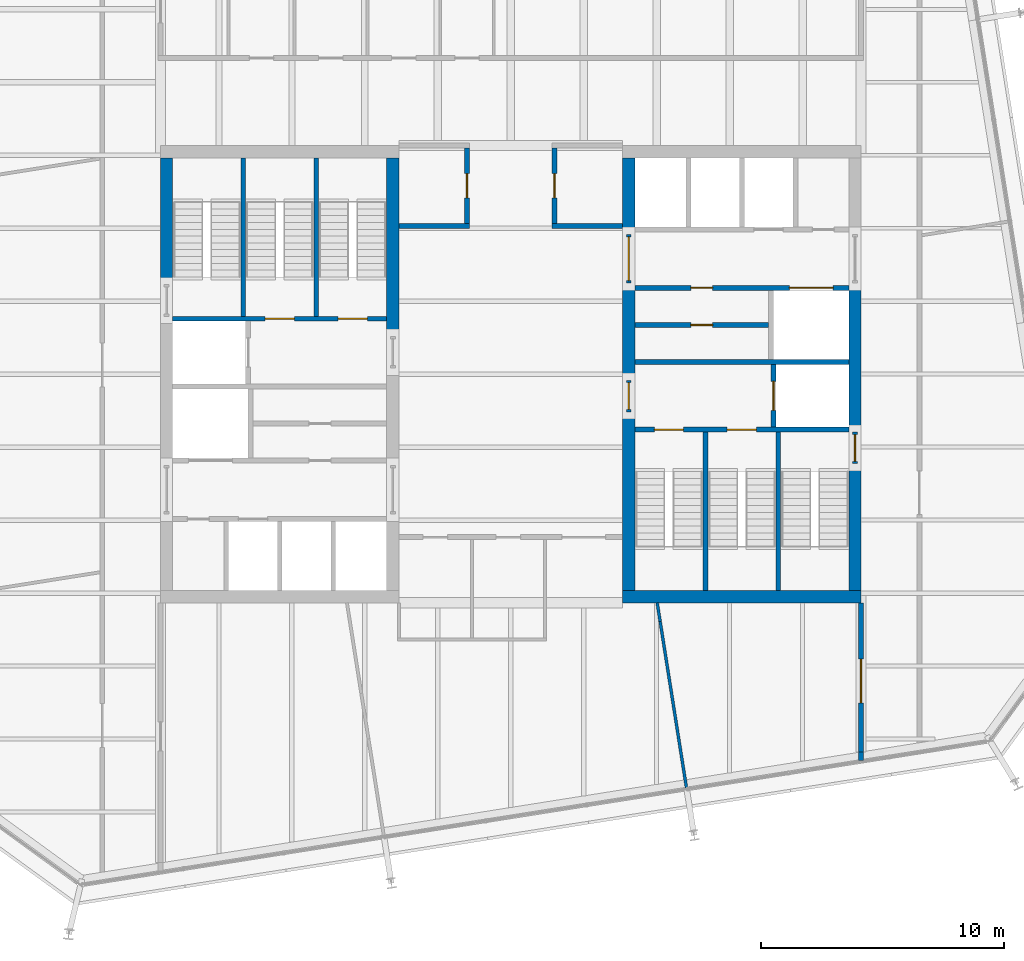
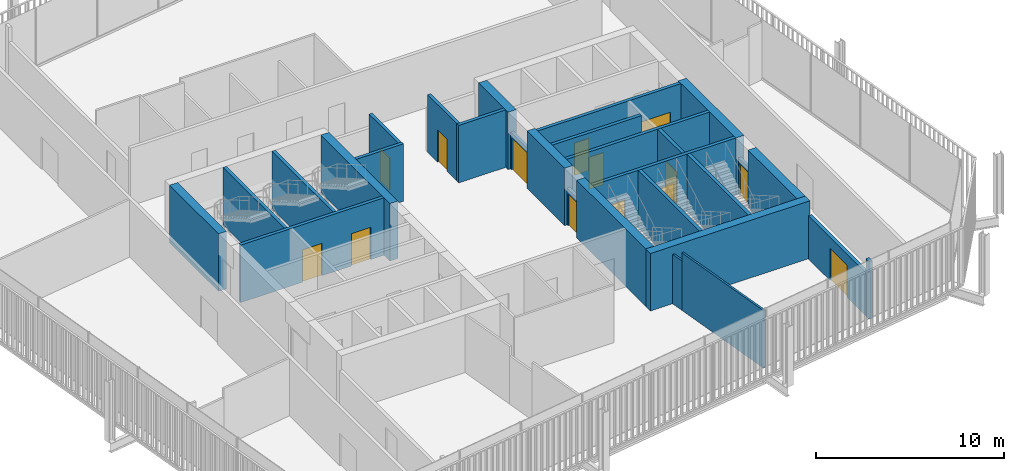
# One storey, part 17 of 20: 29 walls, 14 doors, 14 openings.
"""IFC4 building model written with IfcOpenShell, lengths in metres."""

from ifc_helpers import new_model, si_unit, direction, frame, frame_2d, origin, place, context, subcontext, project, spatial, rectangle, extrude, material, layer, layer_set, type_object, element, fill, save


model = new_model("IFC4")

# Units and contexts
model_context = context("Model", 3, precision=1e-05, world=origin(), true_north=direction((0.0, 1.0)))
body_context = subcontext(model_context, "Body", "Model", "MODEL_VIEW")
ifc_project = project(units=[si_unit("LENGTHUNIT", "METRE"), si_unit("AREAUNIT", "SQUARE_METRE"), si_unit("VOLUMEUNIT", "CUBIC_METRE"), si_unit("PLANEANGLEUNIT", "RADIAN"), si_unit("MASSUNIT", "GRAM", prefix="KILO")], contexts=[model_context])

# Site, building, storey
site_placement = place(None, origin())
site = spatial("IfcSite", under=ifc_project, at=site_placement, CompositionType="ELEMENT")
building_placement = place(site_placement, origin())
building = spatial("IfcBuilding", under=site, at=building_placement, Name="Millrace Tower", CompositionType="ELEMENT")
storey_placement = place(building_placement, frame((0.0, 0.0, 259.10009765625)))
storey = spatial("IfcBuildingStorey", under=building, at=storey_placement, Name="L59", CompositionType="ELEMENT", Elevation=259.10009765625)

# Walls
ifc_material_1 = material(Name="Concrete C60", Category="concrete")
ifc_layer_1 = layer(ifc_material_1, 0.5)
ifc_layer_set_1 = layer_set([ifc_layer_1], Name="Concrete C60")
wall_type_1 = type_object("IfcWallType", Name="Core wall 500 Concrete C60", PredefinedType="SHEAR", material=ifc_layer_set_1)
wall_1_placement = place(storey_placement, frame((-14.14990234375, 3.679931640625, 0.0), z_axis=(0.0, 0.0, 1.0), x_axis=(0.0, 1.0, 0.0)))
element("IfcWall", 1, at=wall_1_placement, inside=storey, type_object=wall_type_1, Name="Core wall W L59", PredefinedType="SHEAR", context=body_context, shape_type="SweptSolid", body=[
    extrude(rectangle(XDim=5.219970703125, YDim=0.5, at=frame_2d((2.60986328125, 0.0))), origin(), (0.0, 0.0, 1.0), 3.739990234375),
])
wall_2_placement = place(storey_placement, frame((-4.85009765625, 1.550048828125, 0.0), z_axis=(0.0, 0.0, 1.0), x_axis=(0.0, 1.0, 0.0)))
element("IfcWall", 2, at=wall_2_placement, inside=storey, type_object=wall_type_1, Name="Core wall W L59", PredefinedType="SHEAR", context=body_context, shape_type="SweptSolid", body=[
    extrude(rectangle(XDim=7.349853515625, YDim=0.5, at=frame_2d((3.6748046875, 0.0))), origin(), (0.0, 0.0, 1.0), 3.739990234375),
])
wall_3_placement = place(storey_placement, frame((14.39990234375, -9.14990234375, 0.0), z_axis=(0.0, 0.0, 1.0), x_axis=(-1.0, 0.0, 0.0)))
element("IfcWall", 3, at=wall_3_placement, inside=storey, type_object=wall_type_1, Name="Core wall E L59", PredefinedType="SHEAR", context=body_context, shape_type="SweptSolid", body=[
    extrude(rectangle(XDim=9.7998046875, YDim=0.5, at=frame_2d((4.89990234375, 0.0))), origin(), (0.0, 0.0, 1.0), 3.739990234375),
])
wall_4_placement = place(storey_placement, frame((14.14990234375, 3.75, 0.0), z_axis=(0.0, 0.0, 1.0), x_axis=(0.0, -1.0, 0.0)))
element("IfcWall", 4, at=wall_4_placement, inside=storey, type_object=wall_type_1, Name="Core wall E L59", PredefinedType="SHEAR", context=body_context, shape_type="SweptSolid", body=[
    extrude(rectangle(XDim=6.1298828125, YDim=0.5, at=frame_2d((3.06494140625, 0.0))), origin(), (0.0, 0.0, 1.0), 3.739990234375),
])
wall_5_placement = place(storey_placement, frame((14.14990234375, -3.679931640625, 0.0), z_axis=(0.0, 0.0, 1.0), x_axis=(0.0, -1.0, 0.0)))
element("IfcWall", 5, at=wall_5_placement, inside=storey, type_object=wall_type_1, Name="Core wall E L59", PredefinedType="SHEAR", context=body_context, shape_type="SweptSolid", body=[
    extrude(rectangle(XDim=5.219970703125, YDim=0.5, at=frame_2d((2.60986328125, 0.0))), origin(), (0.0, 0.0, 1.0), 3.739990234375),
])
wall_6_placement = place(storey_placement, frame((4.85009765625, 8.89990234375, 0.0), z_axis=(0.0, 0.0, 1.0), x_axis=(0.0, -1.0, 0.0)))
element("IfcWall", 6, at=wall_6_placement, inside=storey, type_object=wall_type_1, Name="Core wall E L59", PredefinedType="SHEAR", context=body_context, shape_type="SweptSolid", body=[
    extrude(rectangle(XDim=3.14990234375, YDim=0.5, at=frame_2d((1.574951171875, 0.0))), origin(), (0.0, 0.0, 1.0), 3.739990234375),
])
wall_7_placement = place(storey_placement, frame((4.85009765625, 3.75, 0.0), z_axis=(0.0, 0.0, 1.0), x_axis=(0.0, -1.0, 0.0)))
element("IfcWall", 7, at=wall_7_placement, inside=storey, type_object=wall_type_1, Name="Core wall E L59", PredefinedType="SHEAR", context=body_context, shape_type="SweptSolid", body=[
    extrude(rectangle(XDim=4.0, YDim=0.5, at=frame_2d((2.0, 0.0))), origin(), (0.0, 0.0, 1.0), 3.739990234375),
])
wall_8_placement = place(storey_placement, frame((4.85009765625, -1.550048828125, 0.0), z_axis=(0.0, 0.0, 1.0), x_axis=(0.0, -1.0, 0.0)))
element("IfcWall", 8, at=wall_8_placement, inside=storey, type_object=wall_type_1, Name="Core wall E L59", PredefinedType="SHEAR", context=body_context, shape_type="SweptSolid", body=[
    extrude(rectangle(XDim=7.349853515625, YDim=0.5, at=frame_2d((3.6748046875, 0.0))), origin(), (0.0, 0.0, 1.0), 3.739990234375),
])
ifc_material_2 = material(Name="Masonry partition, fire-rated", Category="masonry")
ifc_layer_2 = layer(ifc_material_2, 0.199951171875)
ifc_layer_set_2 = layer_set([ifc_layer_2], Name="Masonry partition, fire-rated")
wall_type_2 = type_object("IfcWallType", Name="Corridor wall 200", PredefinedType="PARTITIONING", material=ifc_layer_set_2)
for number, where, z_axis, x_axis, name in (
    (9, (-4.60009765625, 6.10009765625, 0.0), (0.0, 0.0, 1.0), (1.0, 0.0, 0.0), "Corridor wall L59"),
    (10, (1.699951171875, 6.10009765625, 0.0), (0.0, 0.0, 1.0), (1.0, 0.0, 0.0), "Corridor wall L59"),
):
    element("IfcWall", number, at=place(storey_placement, frame(where, z_axis=z_axis, x_axis=x_axis)), inside=storey, type_object=wall_type_2, Name=name, PredefinedType="PARTITIONING", context=body_context, shape_type="SweptSolid", body=[
        extrude(rectangle(XDim=2.900146484375, YDim=0.199951171875, at=frame_2d((1.4501953125, 0.0))), origin(), (0.0, 0.0, 1.0), 3.739990234375),
    ])
wall_9_placement = place(storey_placement, frame((14.39990234375, -15.87451171875, 0.0), z_axis=(0.0, 0.0, 1.0), x_axis=(0.0, 1.0, 0.0)))
element("IfcWall", 11, at=wall_9_placement, inside=storey, type_object=wall_type_2, Name="Corridor wall L59", PredefinedType="PARTITIONING", context=body_context, shape_type="SweptSolid", body=[
    extrude(rectangle(XDim=0.349609375, YDim=0.199951171875, at=frame_2d((0.1748046875, 0.0))), origin(), (0.0, 0.0, 1.0), 3.739990234375),
])

# Wall, opening, door
wall_10_placement = place(storey_placement, frame((14.39990234375, -15.52490234375, 0.0), z_axis=(0.0, 0.0, 1.0), x_axis=(0.0, 1.0, 0.0)))
wall_10 = element("IfcWall", 12, at=wall_10_placement, inside=storey, type_object=wall_type_2, Name="Corridor wall L59", PredefinedType="PARTITIONING", context=body_context, shape_type="SweptSolid", body=[
    extrude(rectangle(XDim=6.125, YDim=0.199951171875, at=frame_2d((3.0625, 0.0))), origin(), (0.0, 0.0, 1.0), 2.812744140625),
])
opening_1_placement = place(wall_10_placement, frame((2.012939453125, 0.0, 0.0)))
opening_1 = element("IfcOpeningElement", 13, at=opening_1_placement, cuts=wall_10, Name="Opening 59-P015", PredefinedType="OPENING", context=body_context, shape_type="SweptSolid", body=[
    extrude(rectangle(XDim=1.800048828125, YDim=2.10009765625, at=frame_2d((0.89990234375, 1.050048828125))), frame((0.0, 0.10986328125, 0.0), z_axis=(0.0, -1.0, 0.0), x_axis=(1.0, 0.0, 0.0)), (0.0, 0.0, 1.0), 0.219970703125),
])
ifc_material_3 = material(Name="Steel door set, fire-rated", Category="steel")
door_type_1 = type_object("IfcDoorType", Name="Corridor door 1800 x 2100", OperationType="DOUBLE_DOOR_SINGLE_SWING", PredefinedType="DOOR", material=ifc_material_3)
door_1_placement = place(opening_1_placement, origin())
door_1 = element("IfcDoor", 14, at=door_1_placement, inside=storey, type_object=door_type_1, Name="Door 59-P015", OperationType="DOUBLE_DOOR_SINGLE_SWING", OverallHeight=2.10009765625, OverallWidth=1.800048828125, PredefinedType="DOOR", context=body_context, shape_type="SweptSolid", body=[
    extrude(rectangle(XDim=1.800048828125, YDim=2.10009765625, at=frame_2d((0.89990234375, 1.050048828125))), frame((0.0, 0.02490234375, 0.0), z_axis=(0.0, -1.0, 0.0), x_axis=(1.0, 0.0, 0.0)), (0.0, 0.0, 1.0), 0.050048828125),
])
fill(opening_1, door_1)

wall_11_placement = place(storey_placement, frame((1.800048828125, 6.199951171875, 0.0), z_axis=(0.0, 0.0, 1.0), x_axis=(0.0, 1.0, 0.0)))
wall_11 = element("IfcWall", 15, at=wall_11_placement, inside=storey, type_object=wall_type_2, Name="Corridor wall L59", PredefinedType="PARTITIONING", context=body_context, shape_type="SweptSolid", body=[
    extrude(rectangle(XDim=3.10009765625, YDim=0.199951171875, at=frame_2d((1.550048828125, 0.0))), origin(), (0.0, 0.0, 1.0), 3.739990234375),
])
opening_2_placement = place(wall_11_placement, frame((1.050048828125, 0.0, 0.0)))
opening_2 = element("IfcOpeningElement", 16, at=opening_2_placement, cuts=wall_11, Name="Opening 59-P002", PredefinedType="OPENING", context=body_context, shape_type="SweptSolid", body=[
    extrude(rectangle(XDim=1.0, YDim=2.10009765625, at=frame_2d((0.5, 1.050048828125))), frame((0.0, 0.10986328125, 0.0), z_axis=(0.0, -1.0, 0.0), x_axis=(1.0, 0.0, 0.0)), (0.0, 0.0, 1.0), 0.219970703125),
])
ifc_material_4 = material(Name="Steel door set, fire-rated", Category="steel")
door_type_2 = type_object("IfcDoorType", Name="Corridor door 1000 x 2100", OperationType="SINGLE_SWING_LEFT", PredefinedType="DOOR", material=ifc_material_4)
door_2_placement = place(opening_2_placement, frame((1.0, 0.0, 0.0), z_axis=(0.0, 0.0, 1.0), x_axis=(-1.0, 0.0, 0.0)))
door_2 = element("IfcDoor", 17, at=door_2_placement, inside=storey, type_object=door_type_2, Name="Door 59-P002", OperationType="SINGLE_SWING_LEFT", OverallHeight=2.10009765625, OverallWidth=1.0, PredefinedType="DOOR", context=body_context, shape_type="SweptSolid", body=[
    extrude(rectangle(XDim=1.0, YDim=2.10009765625, at=frame_2d((0.5, 1.050048828125))), frame((0.0, 0.02490234375, 0.0), z_axis=(0.0, -1.0, 0.0), x_axis=(1.0, 0.0, 0.0)), (0.0, 0.0, 1.0), 0.050048828125),
])
fill(opening_2, door_2)

wall_12_placement = place(storey_placement, frame((-1.800048828125, 6.199951171875, 0.0), z_axis=(0.0, 0.0, 1.0), x_axis=(0.0, 1.0, 0.0)))
wall_12 = element("IfcWall", 18, at=wall_12_placement, inside=storey, type_object=wall_type_2, Name="Corridor wall L59", PredefinedType="PARTITIONING", context=body_context, shape_type="SweptSolid", body=[
    extrude(rectangle(XDim=3.10009765625, YDim=0.199951171875, at=frame_2d((1.550048828125, 0.0))), origin(), (0.0, 0.0, 1.0), 3.739990234375),
])
opening_3_placement = place(wall_12_placement, frame((1.050048828125, 0.0, 0.0)))
opening_3 = element("IfcOpeningElement", 19, at=opening_3_placement, cuts=wall_12, Name="Opening 59-P001", PredefinedType="OPENING", context=body_context, shape_type="SweptSolid", body=[
    extrude(rectangle(XDim=1.0, YDim=2.10009765625, at=frame_2d((0.5, 1.050048828125))), frame((0.0, 0.10986328125, 0.0), z_axis=(0.0, -1.0, 0.0), x_axis=(1.0, 0.0, 0.0)), (0.0, 0.0, 1.0), 0.219970703125),
])
door_3_placement = place(opening_3_placement, origin())
door_3 = element("IfcDoor", 20, at=door_3_placement, inside=storey, type_object=door_type_2, Name="Door 59-P001", OperationType="SINGLE_SWING_RIGHT", OverallHeight=2.10009765625, OverallWidth=1.0, PredefinedType="DOOR", context=body_context, shape_type="SweptSolid", body=[
    extrude(rectangle(XDim=1.0, YDim=2.10009765625, at=frame_2d((0.5, 1.050048828125))), frame((0.0, 0.02490234375, 0.0), z_axis=(0.0, -1.0, 0.0), x_axis=(1.0, 0.0, 0.0)), (0.0, 0.0, 1.0), 0.050048828125),
])
fill(opening_3, door_3)

# Wall, openings, doors
ifc_material_5 = material(Name="Masonry partition, fire-rated", Category="masonry")
ifc_layer_3 = layer(ifc_material_5, 0.199951171875)
ifc_layer_set_3 = layer_set([ifc_layer_3], Name="Masonry partition, fire-rated")
wall_type_3 = type_object("IfcWallType", Name="Lift shaft wall 200", PredefinedType="PARTITIONING", material=ifc_layer_set_3)
wall_13_placement = place(storey_placement, frame((13.89990234375, 3.550048828125, 0.0), z_axis=(0.0, 0.0, 1.0), x_axis=(-1.0, 0.0, 0.0)))
wall_13 = element("IfcWall", 21, at=wall_13_placement, inside=storey, type_object=wall_type_3, Name="Lift shaft wall E L59", PredefinedType="PARTITIONING", context=body_context, shape_type="SweptSolid", body=[
    extrude(rectangle(XDim=8.7998046875, YDim=0.199951171875, at=frame_2d((4.39990234375, 0.0))), origin(), (0.0, 0.0, 1.0), 3.739990234375),
])
opening_4_placement = place(wall_13_placement, frame((0.64990234375, 0.0, 0.0)))
opening_4 = element("IfcOpeningElement", 22, at=opening_4_placement, cuts=wall_13, Name="Opening 59-LD13", PredefinedType="OPENING", context=body_context, shape_type="SweptSolid", body=[
    extrude(rectangle(XDim=1.800048828125, YDim=2.10009765625, at=frame_2d((0.89990234375, 1.050048828125))), frame((0.0, 0.10986328125, 0.0), z_axis=(0.0, -1.0, 0.0), x_axis=(1.0, 0.0, 0.0)), (0.0, 0.0, 1.0), 0.219970703125),
])
opening_5_placement = place(wall_13_placement, frame((5.60009765625, 0.0, 0.0)))
opening_5 = element("IfcOpeningElement", 23, at=opening_5_placement, cuts=wall_13, Name="Opening 59-C015", PredefinedType="OPENING", context=body_context, shape_type="SweptSolid", body=[
    extrude(rectangle(XDim=0.89990234375, YDim=2.10009765625, at=frame_2d((0.449951171875, 1.050048828125))), frame((0.0, 0.10986328125, 0.0), z_axis=(0.0, -1.0, 0.0), x_axis=(1.0, 0.0, 0.0)), (0.0, 0.0, 1.0), 0.219970703125),
])
ifc_material_6 = material(Name="Stainless steel, fire-rated", Category="steel")
door_type_3 = type_object("IfcDoorType", Name="Lift landing door 1800 x 2100", OperationType="DOUBLE_DOOR_SLIDING", PredefinedType="DOOR", material=ifc_material_6)
door_4_placement = place(opening_4_placement, origin())
door_4 = element("IfcDoor", 24, at=door_4_placement, inside=storey, type_object=door_type_3, Name="Lift landing door LF13 L59", OperationType="DOUBLE_DOOR_SLIDING", OverallHeight=2.10009765625, OverallWidth=1.800048828125, PredefinedType="DOOR", context=body_context, shape_type="SweptSolid", body=[
    extrude(rectangle(XDim=1.800048828125, YDim=2.10009765625, at=frame_2d((0.89990234375, 1.050048828125))), frame((0.0, 0.02490234375, 0.0), z_axis=(0.0, -1.0, 0.0), x_axis=(1.0, 0.0, 0.0)), (0.0, 0.0, 1.0), 0.050048828125),
])
fill(opening_4, door_4)
ifc_material_7 = material(Name="Steel door, fire-rated", Category="steel")
door_type_4 = type_object("IfcDoorType", Name="Service room door 900 x 2100", OperationType="SINGLE_SWING_LEFT", PredefinedType="DOOR", material=ifc_material_7)
door_5_placement = place(opening_5_placement, frame((0.89990234375, 0.0, 0.0), z_axis=(0.0, 0.0, 1.0), x_axis=(-1.0, 0.0, 0.0)))
door_5 = element("IfcDoor", 25, at=door_5_placement, inside=storey, type_object=door_type_4, Name="Service room door 59-C015", OperationType="SINGLE_SWING_LEFT", OverallHeight=2.10009765625, OverallWidth=0.89990234375, PredefinedType="DOOR", context=body_context, shape_type="SweptSolid", body=[
    extrude(rectangle(XDim=0.89990234375, YDim=2.10009765625, at=frame_2d((0.449951171875, 1.050048828125))), frame((0.0, 0.02490234375, 0.0), z_axis=(0.0, -1.0, 0.0), x_axis=(1.0, 0.0, 0.0)), (0.0, 0.0, 1.0), 0.050048828125),
])
fill(opening_5, door_5)

# Wall
wall_14_placement = place(storey_placement, frame((13.89990234375, 0.5, 0.0), z_axis=(0.0, 0.0, 1.0), x_axis=(-1.0, 0.0, 0.0)))
element("IfcWall", 26, at=wall_14_placement, inside=storey, type_object=wall_type_3, Name="Lift shaft wall E L59", PredefinedType="PARTITIONING", context=body_context, shape_type="SweptSolid", body=[
    extrude(rectangle(XDim=8.7998046875, YDim=0.199951171875, at=frame_2d((4.39990234375, 0.0))), origin(), (0.0, 0.0, 1.0), 3.739990234375),
])

# Wall, opening, door
wall_15_placement = place(storey_placement, frame((10.800048828125, 0.39990234375, 0.0), z_axis=(0.0, 0.0, 1.0), x_axis=(0.0, -1.0, 0.0)))
wall_15 = element("IfcWall", 27, at=wall_15_placement, inside=storey, type_object=wall_type_3, Name="Lift shaft wall E L59", PredefinedType="PARTITIONING", context=body_context, shape_type="SweptSolid", body=[
    extrude(rectangle(XDim=2.579833984375, YDim=0.199951171875, at=frame_2d((1.2900390625, 0.0))), origin(), (0.0, 0.0, 1.0), 3.739990234375),
])
opening_6_placement = place(wall_15_placement, frame((0.68994140625, 0.0, 0.0)))
opening_6 = element("IfcOpeningElement", 28, at=opening_6_placement, cuts=wall_15, Name="Opening 59-LD16", PredefinedType="OPENING", context=body_context, shape_type="SweptSolid", body=[
    extrude(rectangle(XDim=1.199951171875, YDim=2.10009765625, at=frame_2d((0.60009765625, 1.050048828125))), frame((0.0, 0.10986328125, 0.0), z_axis=(0.0, -1.0, 0.0), x_axis=(1.0, 0.0, 0.0)), (0.0, 0.0, 1.0), 0.219970703125),
])
ifc_material_8 = material(Name="Stainless steel, fire-rated", Category="steel")
door_type_5 = type_object("IfcDoorType", Name="Lift landing door 1200 x 2100", OperationType="DOUBLE_DOOR_SLIDING", PredefinedType="DOOR", material=ifc_material_8)
door_6_placement = place(opening_6_placement, origin())
door_6 = element("IfcDoor", 29, at=door_6_placement, inside=storey, type_object=door_type_5, Name="Lift landing door LF16 L59", OperationType="DOUBLE_DOOR_SLIDING", OverallHeight=2.10009765625, OverallWidth=1.199951171875, PredefinedType="DOOR", context=body_context, shape_type="SweptSolid", body=[
    extrude(rectangle(XDim=1.199951171875, YDim=2.10009765625, at=frame_2d((0.60009765625, 1.050048828125))), frame((0.0, 0.02490234375, 0.0), z_axis=(0.0, -1.0, 0.0), x_axis=(1.0, 0.0, 0.0)), (0.0, 0.0, 1.0), 0.050048828125),
])
fill(opening_6, door_6)

ifc_material_9 = material(Name="Masonry partition, fire-rated", Category="masonry")
ifc_layer_4 = layer(ifc_material_9, 0.199951171875)
ifc_layer_set_4 = layer_set([ifc_layer_4], Name="Masonry partition, fire-rated")
wall_type_4 = type_object("IfcWallType", Name="Lobby wall 200", PredefinedType="PARTITIONING", material=ifc_layer_set_4)
wall_16_placement = place(storey_placement, frame((4.85009765625, 5.75, 0.0), z_axis=(0.0, 0.0, 1.0), x_axis=(0.0, -1.0, 0.0)))
wall_16 = element("IfcWall", 30, at=wall_16_placement, inside=storey, type_object=wall_type_4, Name="Lobby wall E L59", PredefinedType="PARTITIONING", context=body_context, shape_type="SweptSolid", body=[
    extrude(rectangle(XDim=2.0, YDim=0.199951171875, at=frame_2d((1.0, 0.0))), origin(), (0.0, 0.0, 1.0), 2.39990234375),
])
opening_7_placement = place(wall_16_placement, frame((0.10009765625, 0.0, 0.0)))
opening_7 = element("IfcOpeningElement", 31, at=opening_7_placement, cuts=wall_16, Name="Opening 59-C012", PredefinedType="OPENING", context=body_context, shape_type="SweptSolid", body=[
    extrude(rectangle(XDim=1.800048828125, YDim=2.10009765625, at=frame_2d((0.89990234375, 1.050048828125))), frame((0.0, 0.10986328125, 0.0), z_axis=(0.0, -1.0, 0.0), x_axis=(1.0, 0.0, 0.0)), (0.0, 0.0, 1.0), 0.219970703125),
])
ifc_material_10 = material(Name="Steel door, fire-rated", Category="steel")
door_type_6 = type_object("IfcDoorType", Name="Lobby door 1800 x 2100", OperationType="DOUBLE_DOOR_SINGLE_SWING", PredefinedType="DOOR", material=ifc_material_10)
door_7_placement = place(opening_7_placement, frame((1.800048828125, 0.0, 0.0), z_axis=(0.0, 0.0, 1.0), x_axis=(-1.0, 0.0, 0.0)))
door_7 = element("IfcDoor", 32, at=door_7_placement, inside=storey, type_object=door_type_6, Name="Lobby door 59-C012", OperationType="DOUBLE_DOOR_SINGLE_SWING", OverallHeight=2.10009765625, OverallWidth=1.800048828125, PredefinedType="DOOR", context=body_context, shape_type="SweptSolid", body=[
    extrude(rectangle(XDim=1.800048828125, YDim=2.10009765625, at=frame_2d((0.89990234375, 1.050048828125))), frame((0.0, 0.02490234375, 0.0), z_axis=(0.0, -1.0, 0.0), x_axis=(1.0, 0.0, 0.0)), (0.0, 0.0, 1.0), 0.050048828125),
])
fill(opening_7, door_7)

wall_17_placement = place(storey_placement, frame((4.85009765625, -0.25, 0.0), z_axis=(0.0, 0.0, 1.0), x_axis=(0.0, -1.0, 0.0)))
wall_17 = element("IfcWall", 33, at=wall_17_placement, inside=storey, type_object=wall_type_4, Name="Lobby wall E L59", PredefinedType="PARTITIONING", context=body_context, shape_type="SweptSolid", body=[
    extrude(rectangle(XDim=1.300048828125, YDim=0.199951171875, at=frame_2d((0.64990234375, 0.0))), origin(), (0.0, 0.0, 1.0), 2.39990234375),
])
opening_8_placement = place(wall_17_placement, frame((0.10009765625, 0.0, 0.0)))
opening_8 = element("IfcOpeningElement", 34, at=opening_8_placement, cuts=wall_17, Name="Opening 59-C013", PredefinedType="OPENING", context=body_context, shape_type="SweptSolid", body=[
    extrude(rectangle(XDim=1.10009765625, YDim=2.10009765625, at=frame_2d((0.550048828125, 1.050048828125))), frame((0.0, 0.10986328125, 0.0), z_axis=(0.0, -1.0, 0.0), x_axis=(1.0, 0.0, 0.0)), (0.0, 0.0, 1.0), 0.219970703125),
])
ifc_material_11 = material(Name="Steel door, fire-rated", Category="steel")
door_type_7 = type_object("IfcDoorType", Name="Lobby door 1100 x 2100", OperationType="SINGLE_SWING_LEFT", PredefinedType="DOOR", material=ifc_material_11)
door_8_placement = place(opening_8_placement, frame((1.10009765625, 0.0, 0.0), z_axis=(0.0, 0.0, 1.0), x_axis=(-1.0, 0.0, 0.0)))
door_8 = element("IfcDoor", 35, at=door_8_placement, inside=storey, type_object=door_type_7, Name="Lobby door 59-C013", OperationType="SINGLE_SWING_LEFT", OverallHeight=2.10009765625, OverallWidth=1.10009765625, PredefinedType="DOOR", context=body_context, shape_type="SweptSolid", body=[
    extrude(rectangle(XDim=1.10009765625, YDim=2.10009765625, at=frame_2d((0.550048828125, 1.050048828125))), frame((0.0, 0.02490234375, 0.0), z_axis=(0.0, -1.0, 0.0), x_axis=(1.0, 0.0, 0.0)), (0.0, 0.0, 1.0), 0.050048828125),
])
fill(opening_8, door_8)

# Walls
ifc_material_12 = material(Name="Gypsum board partition")
ifc_layer_5 = layer(ifc_material_12, 0.1201171875)
ifc_layer_set_5 = layer_set([ifc_layer_5], Name="Gypsum board partition")
wall_type_5 = type_object("IfcWallType", Name="Partition wall 120", PredefinedType="PARTITIONING", material=ifc_layer_set_5)
wall_18_placement = place(storey_placement, frame((6.02001953125, -9.39990234375, 0.0), z_axis=(0.0, 0.0, 1.0), x_axis=(0.1563648424, -0.987699365223, 0.0)))
element("IfcWall", 36, at=wall_18_placement, inside=storey, type_object=wall_type_5, Name="Partition wall L59", PredefinedType="PARTITIONING", context=body_context, shape_type="SweptSolid", body=[
    extrude(rectangle(XDim=0.779052734375, YDim=0.1201171875, at=frame_2d((0.3896484375, 0.0))), origin(), (0.0, 0.0, 1.0), 3.214111328125),
])
wall_19_placement = place(storey_placement, frame((6.141845703125, -10.16943359375, 0.0), z_axis=(0.0, 0.0, 1.0), x_axis=(0.156351697361, -0.987701446153, 0.0)))
element("IfcWall", 37, at=wall_19_placement, inside=storey, type_object=wall_type_5, Name="Partition wall L59", PredefinedType="PARTITIONING", context=body_context, shape_type="SweptSolid", body=[
    extrude(rectangle(XDim=6.9267578125, YDim=0.1201171875, at=frame_2d((3.46337890625, 0.0))), origin(), (0.0, 0.0, 1.0), 3.739990234375),
])

# Wall, opening, door
ifc_material_13 = material(Name="Masonry partition, fire-rated", Category="masonry")
ifc_layer_6 = layer(ifc_material_13, 0.199951171875)
ifc_layer_set_6 = layer_set([ifc_layer_6], Name="Masonry partition, fire-rated")
wall_type_6 = type_object("IfcWallType", Name="Room partition 200", PredefinedType="PARTITIONING", material=ifc_layer_set_6)
wall_20_placement = place(storey_placement, frame((10.60009765625, 2.02490234375, 0.0), z_axis=(0.0, 0.0, 1.0), x_axis=(-1.0, 0.0, 0.0)))
wall_20 = element("IfcWall", 38, at=wall_20_placement, inside=storey, type_object=wall_type_6, Name="Room partition E L59", PredefinedType="PARTITIONING", context=body_context, shape_type="SweptSolid", body=[
    extrude(rectangle(XDim=5.5, YDim=0.199951171875, at=frame_2d((2.75, 0.0))), origin(), (0.0, 0.0, 1.0), 3.739990234375),
])
opening_9_placement = place(wall_20_placement, frame((2.300048828125, 0.0, 0.0)))
opening_9 = element("IfcOpeningElement", 39, at=opening_9_placement, cuts=wall_20, Name="Opening 59-C016", PredefinedType="OPENING", context=body_context, shape_type="SweptSolid", body=[
    extrude(rectangle(XDim=0.89990234375, YDim=2.10009765625, at=frame_2d((0.449951171875, 1.050048828125))), frame((0.0, 0.10986328125, 0.0), z_axis=(0.0, -1.0, 0.0), x_axis=(1.0, 0.0, 0.0)), (0.0, 0.0, 1.0), 0.219970703125),
])
door_9_placement = place(opening_9_placement, origin())
door_9 = element("IfcDoor", 40, at=door_9_placement, inside=storey, type_object=door_type_4, Name="Service room door 59-C016", OperationType="SINGLE_SWING_RIGHT", OverallHeight=2.10009765625, OverallWidth=0.89990234375, PredefinedType="DOOR", context=body_context, shape_type="SweptSolid", body=[
    extrude(rectangle(XDim=0.89990234375, YDim=2.10009765625, at=frame_2d((0.449951171875, 1.050048828125))), frame((0.0, 0.02490234375, 0.0), z_axis=(0.0, -1.0, 0.0), x_axis=(1.0, 0.0, 0.0)), (0.0, 0.0, 1.0), 0.050048828125),
])
fill(opening_9, door_9)

# Wall, openings, doors
ifc_material_14 = material(Name="Concrete C40", Category="concrete")
ifc_layer_7 = layer(ifc_material_14, 0.199951171875)
ifc_layer_set_7 = layer_set([ifc_layer_7], Name="Concrete C40")
wall_type_7 = type_object("IfcWallType", Name="Stair enclosure wall 200 Concrete C40", PredefinedType="SHEAR", material=ifc_layer_set_7)
wall_21_placement = place(storey_placement, frame((-13.89990234375, 2.280029296875, 0.0), z_axis=(0.0, 0.0, 1.0), x_axis=(1.0, 0.0, 0.0)))
wall_21 = element("IfcWall", 41, at=wall_21_placement, inside=storey, type_object=wall_type_7, Name="Stair enclosure wall W L59", PredefinedType="SHEAR", context=body_context, shape_type="SweptSolid", body=[
    extrude(rectangle(XDim=8.7998046875, YDim=0.199951171875, at=frame_2d((4.39990234375, 0.0))), origin(), (0.0, 0.0, 1.0), 3.739990234375),
])
opening_10_placement = place(wall_21_placement, frame((3.800048828125, 0.0, 0.0)))
opening_10 = element("IfcOpeningElement", 42, at=opening_10_placement, cuts=wall_21, Name="Opening 59-C008", PredefinedType="OPENING", context=body_context, shape_type="SweptSolid", body=[
    extrude(rectangle(XDim=1.199951171875, YDim=2.10009765625, at=frame_2d((0.60009765625, 1.050048828125))), frame((0.0, 0.10986328125, 0.0), z_axis=(0.0, -1.0, 0.0), x_axis=(1.0, 0.0, 0.0)), (0.0, 0.0, 1.0), 0.219970703125),
])
opening_11_placement = place(wall_21_placement, frame((6.800048828125, 0.0, 0.0)))
opening_11 = element("IfcOpeningElement", 43, at=opening_11_placement, cuts=wall_21, Name="Opening 59-C009", PredefinedType="OPENING", context=body_context, shape_type="SweptSolid", body=[
    extrude(rectangle(XDim=1.199951171875, YDim=2.10009765625, at=frame_2d((0.60009765625, 1.050048828125))), frame((0.0, 0.10986328125, 0.0), z_axis=(0.0, -1.0, 0.0), x_axis=(1.0, 0.0, 0.0)), (0.0, 0.0, 1.0), 0.219970703125),
])
ifc_material_15 = material(Name="Steel door, fire-rated", Category="steel")
door_type_8 = type_object("IfcDoorType", Name="Stair door 1200 x 2100", OperationType="SINGLE_SWING_LEFT", PredefinedType="DOOR", material=ifc_material_15)
door_10_placement = place(opening_10_placement, frame((1.199951171875, 0.0, 0.0), z_axis=(0.0, 0.0, 1.0), x_axis=(-1.0, 0.0, 0.0)))
door_10 = element("IfcDoor", 44, at=door_10_placement, inside=storey, type_object=door_type_8, Name="Stair door 59-C008", OperationType="SINGLE_SWING_LEFT", OverallHeight=2.10009765625, OverallWidth=1.199951171875, PredefinedType="DOOR", context=body_context, shape_type="SweptSolid", body=[
    extrude(rectangle(XDim=1.199951171875, YDim=2.10009765625, at=frame_2d((0.60009765625, 1.050048828125))), frame((0.0, 0.02490234375, 0.0), z_axis=(0.0, -1.0, 0.0), x_axis=(1.0, 0.0, 0.0)), (0.0, 0.0, 1.0), 0.050048828125),
])
fill(opening_10, door_10)
door_11_placement = place(opening_11_placement, frame((1.199951171875, 0.0, 0.0), z_axis=(0.0, 0.0, 1.0), x_axis=(-1.0, 0.0, 0.0)))
door_11 = element("IfcDoor", 45, at=door_11_placement, inside=storey, type_object=door_type_8, Name="Stair door 59-C009", OperationType="SINGLE_SWING_LEFT", OverallHeight=2.10009765625, OverallWidth=1.199951171875, PredefinedType="DOOR", context=body_context, shape_type="SweptSolid", body=[
    extrude(rectangle(XDim=1.199951171875, YDim=2.10009765625, at=frame_2d((0.60009765625, 1.050048828125))), frame((0.0, 0.02490234375, 0.0), z_axis=(0.0, -1.0, 0.0), x_axis=(1.0, 0.0, 0.0)), (0.0, 0.0, 1.0), 0.050048828125),
])
fill(opening_11, door_11)

# Walls
for number, where, z_axis, x_axis, name in (
    (46, (-11.0, 2.3798828125, 0.0), (0.0, 0.0, 1.0), (0.0, 1.0, 0.0), "Stair enclosure wall W L59"),
    (47, (-8.0, 2.3798828125, 0.0), (0.0, 0.0, 1.0), (0.0, 1.0, 0.0), "Stair enclosure wall W L59"),
):
    element("IfcWall", number, at=place(storey_placement, frame(where, z_axis=z_axis, x_axis=x_axis)), inside=storey, type_object=wall_type_7, Name=name, PredefinedType="SHEAR", context=body_context, shape_type="SweptSolid", body=[
        extrude(rectangle(XDim=6.52001953125, YDim=0.199951171875, at=frame_2d((3.260009765625, 0.0))), origin(), (0.0, 0.0, 1.0), 3.739990234375),
    ])

# Wall, opening, door
wall_22_placement = place(storey_placement, frame((14.14990234375, -2.3798828125, 0.0), z_axis=(0.0, 0.0, 1.0), x_axis=(0.0, -1.0, 0.0)))
wall_22 = element("IfcWall", 48, at=wall_22_placement, inside=storey, type_object=wall_type_7, Name="Stair enclosure wall E L59", PredefinedType="SHEAR", context=body_context, shape_type="SweptSolid", body=[
    extrude(rectangle(XDim=1.300048828125, YDim=0.199951171875, at=frame_2d((0.64990234375, 0.0))), origin(), (0.0, 0.0, 1.0), 2.39990234375),
])
opening_12_placement = place(wall_22_placement, frame((0.10009765625, 0.0, 0.0)))
opening_12 = element("IfcOpeningElement", 49, at=opening_12_placement, cuts=wall_22, Name="Opening 59-C011", PredefinedType="OPENING", context=body_context, shape_type="SweptSolid", body=[
    extrude(rectangle(XDim=1.10009765625, YDim=2.10009765625, at=frame_2d((0.550048828125, 1.050048828125))), frame((0.0, 0.10986328125, 0.0), z_axis=(0.0, -1.0, 0.0), x_axis=(1.0, 0.0, 0.0)), (0.0, 0.0, 1.0), 0.219970703125),
])
ifc_material_16 = material(Name="Steel door, fire-rated", Category="steel")
door_type_9 = type_object("IfcDoorType", Name="Stair door 1100 x 2100", OperationType="SINGLE_SWING_LEFT", PredefinedType="DOOR", material=ifc_material_16)
door_12_placement = place(opening_12_placement, origin())
door_12 = element("IfcDoor", 50, at=door_12_placement, inside=storey, type_object=door_type_9, Name="Stair door 59-C011", OperationType="SINGLE_SWING_RIGHT", OverallHeight=2.10009765625, OverallWidth=1.10009765625, PredefinedType="DOOR", context=body_context, shape_type="SweptSolid", body=[
    extrude(rectangle(XDim=1.10009765625, YDim=2.10009765625, at=frame_2d((0.550048828125, 1.050048828125))), frame((0.0, 0.02490234375, 0.0), z_axis=(0.0, -1.0, 0.0), x_axis=(1.0, 0.0, 0.0)), (0.0, 0.0, 1.0), 0.050048828125),
])
fill(opening_12, door_12)

# Wall, openings, doors
wall_23_placement = place(storey_placement, frame((13.89990234375, -2.280029296875, 0.0), z_axis=(0.0, 0.0, 1.0), x_axis=(-1.0, 0.0, 0.0)))
wall_23 = element("IfcWall", 51, at=wall_23_placement, inside=storey, type_object=wall_type_7, Name="Stair enclosure wall E L59", PredefinedType="SHEAR", context=body_context, shape_type="SweptSolid", body=[
    extrude(rectangle(XDim=8.7998046875, YDim=0.199951171875, at=frame_2d((4.39990234375, 0.0))), origin(), (0.0, 0.0, 1.0), 3.739990234375),
])
opening_13_placement = place(wall_23_placement, frame((3.800048828125, 0.0, 0.0)))
opening_13 = element("IfcOpeningElement", 52, at=opening_13_placement, cuts=wall_23, Name="Opening 59-C017", PredefinedType="OPENING", context=body_context, shape_type="SweptSolid", body=[
    extrude(rectangle(XDim=1.199951171875, YDim=2.10009765625, at=frame_2d((0.60009765625, 1.050048828125))), frame((0.0, 0.10986328125, 0.0), z_axis=(0.0, -1.0, 0.0), x_axis=(1.0, 0.0, 0.0)), (0.0, 0.0, 1.0), 0.219970703125),
])
opening_14_placement = place(wall_23_placement, frame((6.800048828125, 0.0, 0.0)))
opening_14 = element("IfcOpeningElement", 53, at=opening_14_placement, cuts=wall_23, Name="Opening 59-C018", PredefinedType="OPENING", context=body_context, shape_type="SweptSolid", body=[
    extrude(rectangle(XDim=1.199951171875, YDim=2.10009765625, at=frame_2d((0.60009765625, 1.050048828125))), frame((0.0, 0.10986328125, 0.0), z_axis=(0.0, -1.0, 0.0), x_axis=(1.0, 0.0, 0.0)), (0.0, 0.0, 1.0), 0.219970703125),
])
door_13_placement = place(opening_13_placement, frame((1.199951171875, 0.0, 0.0), z_axis=(0.0, 0.0, 1.0), x_axis=(-1.0, 0.0, 0.0)))
door_13 = element("IfcDoor", 54, at=door_13_placement, inside=storey, type_object=door_type_8, Name="Stair door 59-C017", OperationType="SINGLE_SWING_LEFT", OverallHeight=2.10009765625, OverallWidth=1.199951171875, PredefinedType="DOOR", context=body_context, shape_type="SweptSolid", body=[
    extrude(rectangle(XDim=1.199951171875, YDim=2.10009765625, at=frame_2d((0.60009765625, 1.050048828125))), frame((0.0, 0.02490234375, 0.0), z_axis=(0.0, -1.0, 0.0), x_axis=(1.0, 0.0, 0.0)), (0.0, 0.0, 1.0), 0.050048828125),
])
fill(opening_13, door_13)
door_14_placement = place(opening_14_placement, frame((1.199951171875, 0.0, 0.0), z_axis=(0.0, 0.0, 1.0), x_axis=(-1.0, 0.0, 0.0)))
door_14 = element("IfcDoor", 55, at=door_14_placement, inside=storey, type_object=door_type_8, Name="Stair door 59-C018", OperationType="SINGLE_SWING_LEFT", OverallHeight=2.10009765625, OverallWidth=1.199951171875, PredefinedType="DOOR", context=body_context, shape_type="SweptSolid", body=[
    extrude(rectangle(XDim=1.199951171875, YDim=2.10009765625, at=frame_2d((0.60009765625, 1.050048828125))), frame((0.0, 0.02490234375, 0.0), z_axis=(0.0, -1.0, 0.0), x_axis=(1.0, 0.0, 0.0)), (0.0, 0.0, 1.0), 0.050048828125),
])
fill(opening_14, door_14)

# Walls
for number, where, z_axis, x_axis, name in (
    (56, (11.0, -2.3798828125, 0.0), (0.0, 0.0, 1.0), (0.0, -1.0, 0.0), "Stair enclosure wall E L59"),
    (57, (8.0, -2.3798828125, 0.0), (0.0, 0.0, 1.0), (0.0, -1.0, 0.0), "Stair enclosure wall E L59"),
):
    element("IfcWall", number, at=place(storey_placement, frame(where, z_axis=z_axis, x_axis=x_axis)), inside=storey, type_object=wall_type_7, Name=name, PredefinedType="SHEAR", context=body_context, shape_type="SweptSolid", body=[
        extrude(rectangle(XDim=6.52001953125, YDim=0.199951171875, at=frame_2d((3.260009765625, 0.0))), origin(), (0.0, 0.0, 1.0), 3.739990234375),
    ])

save(model, "model.ifc")
